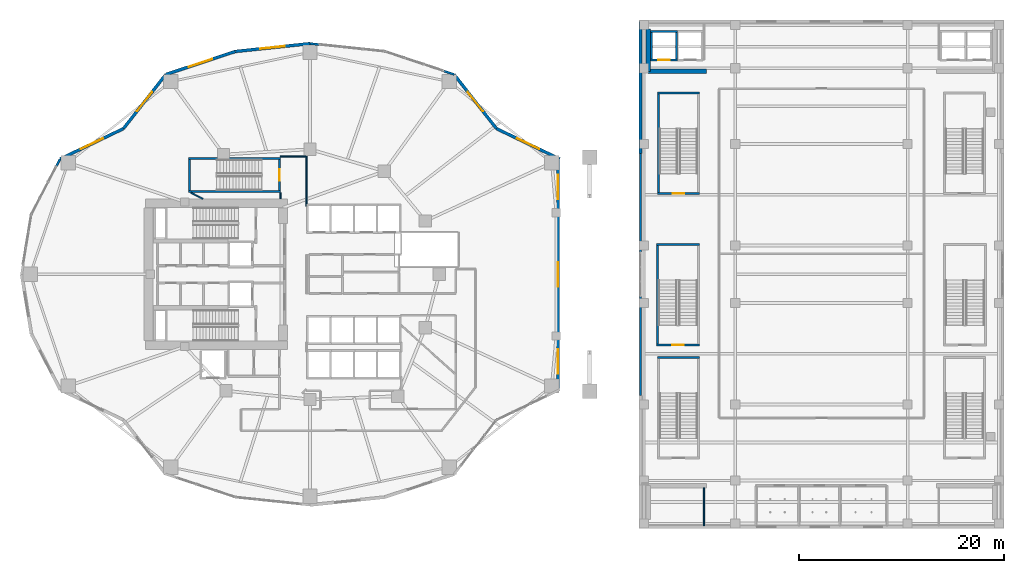
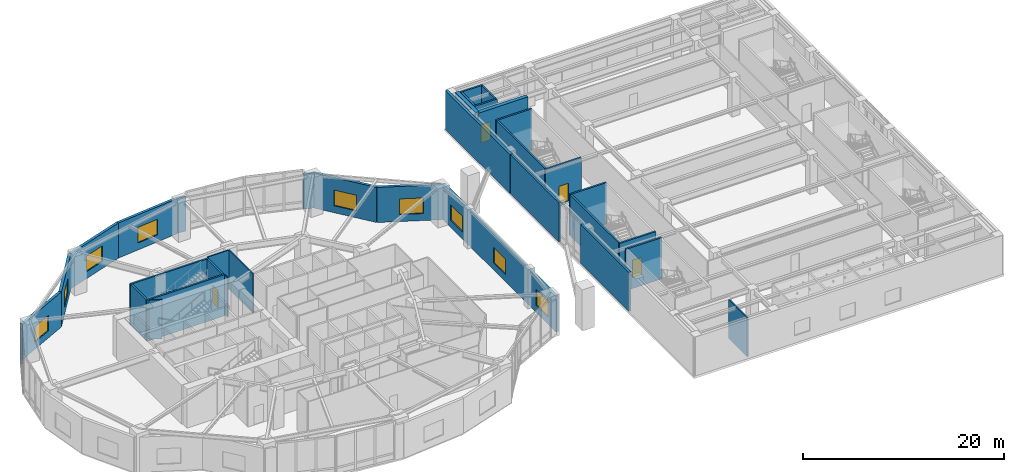
# One storey, part 14 of 21: 35 walls, 9 windows, 4 doors, 13 openings.
"""IFC4 building model written with IfcOpenShell, lengths in metres."""

from ifc_helpers import new_model, si_unit, direction, frame, frame_2d, origin, place, context, subcontext, project, spatial, rectangle, extrude, material, layer, layer_set, type_object, element, fill, save


model = new_model("IFC4")

# Units and contexts
model_context = context("Model", 3, precision=1e-05, world=origin(), true_north=direction((0.0, 1.0)))
body_context = subcontext(model_context, "Body", "Model", "MODEL_VIEW")
ifc_project = project(units=[si_unit("LENGTHUNIT", "METRE"), si_unit("AREAUNIT", "SQUARE_METRE"), si_unit("VOLUMEUNIT", "CUBIC_METRE"), si_unit("PLANEANGLEUNIT", "RADIAN"), si_unit("MASSUNIT", "GRAM", prefix="KILO")], contexts=[model_context])

# Site, building, storey
site_placement = place(None, origin())
site = spatial("IfcSite", under=ifc_project, at=site_placement, CompositionType="ELEMENT")
building_placement = place(site_placement, origin())
building = spatial("IfcBuilding", under=site, at=building_placement, Name="Kolvaren Gate Tower and Convention Centre", CompositionType="ELEMENT")
storey_placement = place(building_placement, frame((0.0, 0.0, 5.0)))
storey = spatial("IfcBuildingStorey", under=building, at=storey_placement, Name="L01", CompositionType="ELEMENT", Elevation=5.0)

# Walls
ifc_material_1 = material(Name="Fire-Rated Acoustic Gypsum Stud Partition", Category="gypsum")
ifc_layer_1 = layer(ifc_material_1, 0.1201171875)
ifc_layer_set_1 = layer_set([ifc_layer_1], Name="Fire-Rated Acoustic Gypsum Stud Partition")
wall_type_1 = type_object("IfcWallType", Name="ARCH-WL-PART-120", PredefinedType="PARTITIONING", material=ifc_layer_set_1)
wall_1_placement = place(storey_placement, frame((29.780029296875, 33.639892578125, 0.0), z_axis=(0.0, 0.0, 1.0), x_axis=(0.0, 1.0, 0.0)))
element("IfcWall", 1, at=wall_1_placement, inside=storey, type_object=wall_type_1, Name="Interior Partition WL-L01-INT-024", PredefinedType="PARTITIONING", context=body_context, shape_type="SweptSolid", body=[
    extrude(rectangle(XDim=4.860107421875, YDim=0.1201171875, at=frame_2d((2.43017578125, 0.0))), origin(), (0.0, 0.0, 1.0), 4.739990234375),
])
wall_2_placement = place(storey_placement, frame((27.25, 34.35205078125, 0.0), z_axis=(0.0, 0.0, 1.0), x_axis=(0.0, 1.0, 0.0)))
element("IfcWall", 2, at=wall_2_placement, inside=storey, type_object=wall_type_1, Name="Interior Partition WL-L01-INT-037", PredefinedType="PARTITIONING", context=body_context, shape_type="SweptSolid", body=[
    extrude(rectangle(XDim=0.60595703125, YDim=0.1201171875, at=frame_2d((0.302978515625, 0.0))), origin(), (0.0, 0.0, 1.0), 4.739990234375),
])
wall_3_placement = place(storey_placement, frame((27.25, 38.5, 0.0), z_axis=(0.0, 0.0, 1.0), x_axis=(1.0, 0.0, 0.0)))
element("IfcWall", 3, at=wall_3_placement, inside=storey, type_object=wall_type_1, Name="Interior Partition WL-L01-INT-038", PredefinedType="PARTITIONING", context=body_context, shape_type="SweptSolid", body=[
    extrude(rectangle(XDim=2.468017578125, YDim=0.1201171875, at=frame_2d((1.23388671875, 0.0))), origin(), (0.0, 0.0, 1.0), 4.739990234375),
])
wall_4_placement = place(storey_placement, frame((18.53271484375, 34.9580078125, 0.0), z_axis=(0.0, 0.0, 1.0), x_axis=(0.883032467315, -0.469311902329, 0.0)))
element("IfcWall", 4, at=wall_4_placement, inside=storey, type_object=wall_type_1, Name="Interior Partition WL-L01-INT-048", PredefinedType="PARTITIONING", context=body_context, shape_type="SweptSolid", body=[
    extrude(rectangle(XDim=1.291259765625, YDim=0.1201171875, at=frame_2d((0.6455078125, 0.0))), origin(), (0.0, 0.0, 1.0), 4.739990234375),
])
wall_5_placement = place(storey_placement, frame((68.550048828125, 2.501953125, 0.0), z_axis=(0.0, 0.0, 1.0), x_axis=(0.0, 1.0, 0.0)))
element("IfcWall", 5, at=wall_5_placement, inside=storey, type_object=wall_type_1, Name="Interior Partition WL-L01-INT-052", PredefinedType="PARTITIONING", context=body_context, shape_type="SweptSolid", body=[
    extrude(rectangle(XDim=3.68603515625, YDim=0.1201171875, at=frame_2d((1.843017578125, 0.0))), origin(), (0.0, 0.0, 1.0), 4.739990234375),
])
ifc_material_2 = material(Name="Bogota Sabana Bush-Hammered Sandstone Cladding", Category="masonry")
ifc_layer_2 = layer(ifc_material_2, 0.219970703125)
ifc_layer_set_2 = layer_set([ifc_layer_2], Name="Bogota Sabana Bush-Hammered Sandstone Cladding")
wall_type_2 = type_object("IfcWallType", Name="ARCH-WL-PIER-220", PredefinedType="SOLIDWALL", material=ifc_layer_set_2)
wall_6_placement = place(storey_placement, frame((43.148193359375, 46.830078125, 0.0), z_axis=(0.0, 0.0, 1.0), x_axis=(0.949217086672, -0.314621872045, 0.0)))
element("IfcWall", 6, at=wall_6_placement, inside=storey, type_object=wall_type_2, Name="Tower L01 Unitised Curtain Wall CW-POD-GLZ Bay 04 Right Column Pier Wrap", PredefinedType="SOLIDWALL", context=body_context, shape_type="SweptSolid", body=[
    extrude(rectangle(XDim=1.094970703125, YDim=0.219970703125, at=frame_2d((0.54736328125, 0.0))), origin(), (0.0, 0.0, 1.0), 4.262939453125),
])
wall_7_placement = place(storey_placement, frame((30.125, 49.5, 0.0), z_axis=(0.0, 0.0, 1.0), x_axis=(0.994486716049, -0.104862632057, 0.0)))
element("IfcWall", 7, at=wall_7_placement, inside=storey, type_object=wall_type_2, Name="Tower L01 Unitised Curtain Wall CW-POD-GLZ Bay 05 Left Column Pier Wrap", PredefinedType="SOLIDWALL", context=body_context, shape_type="SweptSolid", body=[
    extrude(rectangle(XDim=0.928955078125, YDim=0.219970703125, at=frame_2d((0.46435546875, 0.0))), origin(), (0.0, 0.0, 1.0), 4.262939453125),
])
wall_8_placement = place(storey_placement, frame((5.3994140625, 37.537841796875, 0.0), z_axis=(0.0, 0.0, 1.0), x_axis=(0.459712774547, 0.88806765785, 0.0)))
element("IfcWall", 8, at=wall_8_placement, inside=storey, type_object=wall_type_2, Name="Tower L01 Unitised Curtain Wall CW-POD-GLZ Bay 10 Right Column Pier Wrap", PredefinedType="SOLIDWALL", context=body_context, shape_type="SweptSolid", body=[
    extrude(rectangle(XDim=0.802001953125, YDim=0.219970703125, at=frame_2d((0.40087890625, 0.0))), origin(), (0.0, 0.0, 1.0), 4.262939453125),
])
for number, where, z_axis, x_axis, name in (
    (9, (62.35009765625, 15.199951171875, 0.0), (0.0, 0.0, 1.0), (0.0, 1.0, 0.0), "Convention L01 W Foyer Curtain Wall CW-CC-L01-W Left Column Pier Wrap"),
    (10, (62.35009765625, 29.139892578125, 0.0), (0.0, 0.0, 1.0), (0.0, 1.0, 0.0), "Convention L01 W Foyer Curtain Wall CW-CC-L01-W Right Column Pier Wrap"),
):
    element("IfcWall", number, at=place(storey_placement, frame(where, z_axis=z_axis, x_axis=x_axis)), inside=storey, type_object=wall_type_2, Name=name, PredefinedType="SOLIDWALL", context=body_context, shape_type="SweptSolid", body=[
        extrude(rectangle(XDim=9.66015625, YDim=0.219970703125, at=frame_2d((4.830078125, 0.0))), origin(), (0.0, 0.0, 1.0), 4.739990234375),
    ])
ifc_material_3 = material(Name="Autoclaved Aerated Masonry Blockwork Class 4 (4.0 MPa)", Category="masonry")
ifc_layer_3 = layer(ifc_material_3, 0.199951171875)
ifc_layer_set_3 = layer_set([ifc_layer_3], Name="Autoclaved Aerated Masonry Blockwork Class 4 (4.0 MPa)")
wall_type_3 = type_object("IfcWallType", Name="ARCH-WL-SHAFT-200", PredefinedType="SOLIDWALL", material=ifc_layer_set_3)
wall_9_placement = place(storey_placement, frame((63.35009765625, 50.699951171875, 0.0), z_axis=(0.0, 0.0, 1.0), x_axis=(1.0, 0.0, 0.0)))
element("IfcWall", 11, at=wall_9_placement, inside=storey, type_object=wall_type_3, Name="Elevator CL-01 L01 Fire Shaft Wall N", PredefinedType="SOLIDWALL", context=body_context, shape_type="SweptSolid", body=[
    extrude(rectangle(XDim=2.599853515625, YDim=0.199951171875, at=frame_2d((1.2998046875, 0.0))), origin(), (0.0, 0.0, 1.0), 4.739990234375),
])

# Wall, opening, door
wall_10_placement = place(storey_placement, frame((63.35009765625, 47.89990234375, 0.0), z_axis=(0.0, 0.0, 1.0), x_axis=(1.0, 0.0, 0.0)))
wall_10 = element("IfcWall", 12, at=wall_10_placement, inside=storey, type_object=wall_type_3, Name="Elevator CL-01 L01 Fire Shaft Wall S", PredefinedType="SOLIDWALL", context=body_context, shape_type="SweptSolid", body=[
    extrude(rectangle(XDim=2.599853515625, YDim=0.199951171875, at=frame_2d((1.2998046875, 0.0))), origin(), (0.0, 0.0, 1.0), 4.739990234375),
])
opening_1_placement = place(wall_10_placement, frame((0.75, 0.0, 0.0)))
opening_1 = element("IfcOpeningElement", 13, at=opening_1_placement, cuts=wall_10, Name="Opening LD", PredefinedType="OPENING", context=body_context, shape_type="SweptSolid", body=[
    extrude(rectangle(XDim=1.10009765625, YDim=2.199951171875, at=frame_2d((0.550048828125, 1.10009765625))), frame((0.0, 0.10986328125, 0.0), z_axis=(0.0, -1.0, 0.0), x_axis=(1.0, 0.0, 0.0)), (0.0, 0.0, 1.0), 0.219970703125),
])
ifc_material_4 = material(Name="Brushed Stainless Steel Grade 316L", Category="steel")
door_type_1 = type_object("IfcDoorType", Name="ARCH-DR-LIFT-1100", OperationType="SLIDING_TO_LEFT", PredefinedType="DOOR", material=ifc_material_4)
door_1_placement = place(opening_1_placement, origin())
door_1 = element("IfcDoor", 14, at=door_1_placement, inside=storey, type_object=door_type_1, Name="Elevator CL-01 L01 Sliding Landing Door", OperationType="SLIDING_TO_LEFT", OverallHeight=2.199951171875, OverallWidth=1.10009765625, PredefinedType="DOOR", context=body_context, shape_type="SweptSolid", body=[
    extrude(rectangle(XDim=1.10009765625, YDim=2.199951171875, at=frame_2d((0.550048828125, 1.10009765625))), frame((0.0, 0.02490234375, 0.0), z_axis=(0.0, -1.0, 0.0), x_axis=(1.0, 0.0, 0.0)), (0.0, 0.0, 1.0), 0.050048828125),
])
fill(opening_1, door_1)

# Walls
for number, where, z_axis, x_axis, name in (
    (15, (63.449951171875, 48.010009765625, 0.0), (0.0, 0.0, 1.0), (0.0, 1.0, 0.0), "Elevator CL-01 L01 Fire Shaft Wall W"),
    (16, (65.85009765625, 48.010009765625, 0.0), (0.0, 0.0, 1.0), (0.0, 1.0, 0.0), "Elevator CL-01 L01 Fire Shaft Wall E"),
):
    element("IfcWall", number, at=place(storey_placement, frame(where, z_axis=z_axis, x_axis=x_axis)), inside=storey, type_object=wall_type_3, Name=name, PredefinedType="SOLIDWALL", context=body_context, shape_type="SweptSolid", body=[
        extrude(rectangle(XDim=2.580078125, YDim=0.199951171875, at=frame_2d((1.2900390625, 0.0))), origin(), (0.0, 0.0, 1.0), 4.739990234375),
    ])

# Wall, opening, window
ifc_material_5 = material(Name="Piedmont Cream Honed Limestone Cladding", Category="masonry")
ifc_layer_4 = layer(ifc_material_5, 0.300048828125)
ifc_layer_set_4 = layer_set([ifc_layer_4], Name="Piedmont Cream Honed Limestone Cladding")
wall_type_4 = type_object("IfcWallType", Name="ARCH-WL-STONE-300", PredefinedType="SOLIDWALL", material=ifc_layer_set_4)
wall_11_placement = place(storey_placement, frame((48.315185546875, 41.212890625, 0.0), z_axis=(0.0, 0.0, 1.0), x_axis=(0.901360393999, -0.433069786673, 0.0)))
wall_11 = element("IfcWall", 17, at=wall_11_placement, inside=storey, type_object=wall_type_4, Name="Tower L01 Honed Stone Spandrel Wall EW-02", PredefinedType="SOLIDWALL", context=body_context, shape_type="SweptSolid", body=[
    extrude(rectangle(XDim=6.841552734375, YDim=0.300048828125, at=frame_2d((3.4208984375, 0.0))), origin(), (0.0, 0.0, 1.0), 4.262939453125),
])
opening_2_placement = place(wall_11_placement, frame((2.220947265625, 0.0, 0.85009765625)))
opening_2 = element("IfcOpeningElement", 18, at=opening_2_placement, cuts=wall_11, Name="Opening W-01", PredefinedType="OPENING", context=body_context, shape_type="SweptSolid", body=[
    extrude(rectangle(XDim=2.39990234375, YDim=1.89990234375, at=frame_2d((1.199951171875, 0.949951171875))), frame((0.0, 0.159912109375, 0.0), z_axis=(0.0, -1.0, 0.0), x_axis=(1.0, 0.0, 0.0)), (0.0, 0.0, 1.0), 0.320068359375),
])
ifc_material_6 = material(Name="Low-E Triple Insulated Glazing Unit 44 mm", Category="glass")
window_type = type_object("IfcWindowType", Name="ARCH-WN-OFF-2400", PartitioningType="SINGLE_PANEL", PredefinedType="WINDOW", material=ifc_material_6)
window_1_placement = place(opening_2_placement, origin())
window_1 = element("IfcWindow", 19, at=window_1_placement, inside=storey, type_object=window_type, Name="Tower L01 Punched Stone Facade Window W-02", OverallHeight=1.89990234375, OverallWidth=2.39990234375, PartitioningType="SINGLE_PANEL", PredefinedType="WINDOW", context=body_context, shape_type="SweptSolid", body=[
    extrude(rectangle(XDim=2.39990234375, YDim=1.89990234375, at=frame_2d((1.199951171875, 0.949951171875))), frame((0.0, 0.030029296875, 0.0), z_axis=(0.0, -1.0, 0.0), x_axis=(1.0, 0.0, 0.0)), (0.0, 0.0, 1.0), 0.06005859375),
])
fill(opening_2, window_1)

wall_12_placement = place(storey_placement, frame((44.1875, 46.485595703125, 0.0), z_axis=(0.0, 0.0, 1.0), x_axis=(0.616421309777, -0.787416515482, 0.0)))
wall_12 = element("IfcWall", 20, at=wall_12_placement, inside=storey, type_object=wall_type_4, Name="Tower L01 Honed Stone Spandrel Wall EW-03", PredefinedType="SOLIDWALL", context=body_context, shape_type="SweptSolid", body=[
    extrude(rectangle(XDim=6.6962890625, YDim=0.300048828125, at=frame_2d((3.34814453125, 0.0))), origin(), (0.0, 0.0, 1.0), 4.262939453125),
])
opening_3_placement = place(wall_12_placement, frame((2.14794921875, 0.0, 0.85009765625)))
opening_3 = element("IfcOpeningElement", 21, at=opening_3_placement, cuts=wall_12, Name="Opening W-01", PredefinedType="OPENING", context=body_context, shape_type="SweptSolid", body=[
    extrude(rectangle(XDim=2.39990234375, YDim=1.89990234375, at=frame_2d((1.199951171875, 0.949951171875))), frame((0.0, 0.159912109375, 0.0), z_axis=(0.0, -1.0, 0.0), x_axis=(1.0, 0.0, 0.0)), (0.0, 0.0, 1.0), 0.320068359375),
])
window_2_placement = place(opening_3_placement, origin())
window_2 = element("IfcWindow", 22, at=window_2_placement, inside=storey, type_object=window_type, Name="Tower L01 Punched Stone Facade Window W-03", OverallHeight=1.89990234375, OverallWidth=2.39990234375, PartitioningType="SINGLE_PANEL", PredefinedType="WINDOW", context=body_context, shape_type="SweptSolid", body=[
    extrude(rectangle(XDim=2.39990234375, YDim=1.89990234375, at=frame_2d((1.199951171875, 0.949951171875))), frame((0.0, 0.030029296875, 0.0), z_axis=(0.0, -1.0, 0.0), x_axis=(1.0, 0.0, 0.0)), (0.0, 0.0, 1.0), 0.06005859375),
])
fill(opening_3, window_2)

wall_13_placement = place(storey_placement, frame((22.845703125, 48.7333984375, 0.0), z_axis=(0.0, 0.0, 1.0), x_axis=(0.994500334317, 0.104733399844, 0.0)))
wall_13 = element("IfcWall", 23, at=wall_13_placement, inside=storey, type_object=wall_type_4, Name="Tower L01 Honed Stone Spandrel Wall EW-06", PredefinedType="SOLIDWALL", context=body_context, shape_type="SweptSolid", body=[
    extrude(rectangle(XDim=7.319580078125, YDim=0.300048828125, at=frame_2d((3.65966796875, 0.0))), origin(), (0.0, 0.0, 1.0), 4.262939453125),
])
opening_4_placement = place(wall_13_placement, frame((2.4599609375, 0.0, 0.85009765625)))
opening_4 = element("IfcOpeningElement", 24, at=opening_4_placement, cuts=wall_13, Name="Opening W-01", PredefinedType="OPENING", context=body_context, shape_type="SweptSolid", body=[
    extrude(rectangle(XDim=2.39990234375, YDim=1.89990234375, at=frame_2d((1.199951171875, 0.949951171875))), frame((0.0, 0.159912109375, 0.0), z_axis=(0.0, -1.0, 0.0), x_axis=(1.0, 0.0, 0.0)), (0.0, 0.0, 1.0), 0.320068359375),
])
window_3_placement = place(opening_4_placement, origin())
window_3 = element("IfcWindow", 25, at=window_3_placement, inside=storey, type_object=window_type, Name="Tower L01 Punched Stone Facade Window W-06", OverallHeight=1.89990234375, OverallWidth=2.39990234375, PartitioningType="SINGLE_PANEL", PredefinedType="WINDOW", context=body_context, shape_type="SweptSolid", body=[
    extrude(rectangle(XDim=2.39990234375, YDim=1.89990234375, at=frame_2d((1.199951171875, 0.949951171875))), frame((0.0, 0.030029296875, 0.0), z_axis=(0.0, -1.0, 0.0), x_axis=(1.0, 0.0, 0.0)), (0.0, 0.0, 1.0), 0.06005859375),
])
fill(opening_4, window_3)

wall_14_placement = place(storey_placement, frame((16.0625, 46.485595703125, 0.0), z_axis=(0.0, 0.0, 1.0), x_axis=(0.949238715533, 0.31455661006, 0.0)))
wall_14 = element("IfcWall", 26, at=wall_14_placement, inside=storey, type_object=wall_type_4, Name="Tower L01 Honed Stone Spandrel Wall EW-07", PredefinedType="SOLIDWALL", context=body_context, shape_type="SweptSolid", body=[
    extrude(rectangle(XDim=7.14599609375, YDim=0.300048828125, at=frame_2d((3.572998046875, 0.0))), origin(), (0.0, 0.0, 1.0), 4.262939453125),
])
opening_5_placement = place(wall_14_placement, frame((2.373046875, 0.0, 0.85009765625)))
opening_5 = element("IfcOpeningElement", 27, at=opening_5_placement, cuts=wall_14, Name="Opening W-01", PredefinedType="OPENING", context=body_context, shape_type="SweptSolid", body=[
    extrude(rectangle(XDim=2.39990234375, YDim=1.89990234375, at=frame_2d((1.199951171875, 0.949951171875))), frame((0.0, 0.159912109375, 0.0), z_axis=(0.0, -1.0, 0.0), x_axis=(1.0, 0.0, 0.0)), (0.0, 0.0, 1.0), 0.320068359375),
])
window_4_placement = place(opening_5_placement, origin())
window_4 = element("IfcWindow", 28, at=window_4_placement, inside=storey, type_object=window_type, Name="Tower L01 Punched Stone Facade Window W-07", OverallHeight=1.89990234375, OverallWidth=2.39990234375, PartitioningType="SINGLE_PANEL", PredefinedType="WINDOW", context=body_context, shape_type="SweptSolid", body=[
    extrude(rectangle(XDim=2.39990234375, YDim=1.89990234375, at=frame_2d((1.199951171875, 0.949951171875))), frame((0.0, 0.030029296875, 0.0), z_axis=(0.0, -1.0, 0.0), x_axis=(1.0, 0.0, 0.0)), (0.0, 0.0, 1.0), 0.06005859375),
])
fill(opening_5, window_4)

wall_15_placement = place(storey_placement, frame((11.934814453125, 41.212890625, 0.0), z_axis=(0.0, 0.0, 1.0), x_axis=(0.616421309777, 0.787416515482, 0.0)))
wall_15 = element("IfcWall", 29, at=wall_15_placement, inside=storey, type_object=wall_type_4, Name="Tower L01 Honed Stone Spandrel Wall EW-08", PredefinedType="SOLIDWALL", context=body_context, shape_type="SweptSolid", body=[
    extrude(rectangle(XDim=6.6962890625, YDim=0.300048828125, at=frame_2d((3.34814453125, 0.0))), origin(), (0.0, 0.0, 1.0), 4.262939453125),
])
opening_6_placement = place(wall_15_placement, frame((2.14794921875, 0.0, 0.85009765625)))
opening_6 = element("IfcOpeningElement", 30, at=opening_6_placement, cuts=wall_15, Name="Opening W-01", PredefinedType="OPENING", context=body_context, shape_type="SweptSolid", body=[
    extrude(rectangle(XDim=2.39990234375, YDim=1.89990234375, at=frame_2d((1.199951171875, 0.949951171875))), frame((0.0, 0.159912109375, 0.0), z_axis=(0.0, -1.0, 0.0), x_axis=(1.0, 0.0, 0.0)), (0.0, 0.0, 1.0), 0.320068359375),
])
window_5_placement = place(opening_6_placement, origin())
window_5 = element("IfcWindow", 31, at=window_5_placement, inside=storey, type_object=window_type, Name="Tower L01 Punched Stone Facade Window W-08", OverallHeight=1.89990234375, OverallWidth=2.39990234375, PartitioningType="SINGLE_PANEL", PredefinedType="WINDOW", context=body_context, shape_type="SweptSolid", body=[
    extrude(rectangle(XDim=2.39990234375, YDim=1.89990234375, at=frame_2d((1.199951171875, 0.949951171875))), frame((0.0, 0.030029296875, 0.0), z_axis=(0.0, -1.0, 0.0), x_axis=(1.0, 0.0, 0.0)), (0.0, 0.0, 1.0), 0.06005859375),
])
fill(opening_6, window_5)

wall_16_placement = place(storey_placement, frame((5.76806640625, 38.25, 0.0), z_axis=(0.0, 0.0, 1.0), x_axis=(0.901360393999, 0.433069786673, 0.0)))
wall_16 = element("IfcWall", 32, at=wall_16_placement, inside=storey, type_object=wall_type_4, Name="Tower L01 Honed Stone Spandrel Wall EW-09", PredefinedType="SOLIDWALL", context=body_context, shape_type="SweptSolid", body=[
    extrude(rectangle(XDim=6.841552734375, YDim=0.300048828125, at=frame_2d((3.4208984375, 0.0))), origin(), (0.0, 0.0, 1.0), 4.262939453125),
])
opening_7_placement = place(wall_16_placement, frame((2.220947265625, 0.0, 0.85009765625)))
opening_7 = element("IfcOpeningElement", 33, at=opening_7_placement, cuts=wall_16, Name="Opening W-01", PredefinedType="OPENING", context=body_context, shape_type="SweptSolid", body=[
    extrude(rectangle(XDim=2.39990234375, YDim=1.89990234375, at=frame_2d((1.199951171875, 0.949951171875))), frame((0.0, 0.159912109375, 0.0), z_axis=(0.0, -1.0, 0.0), x_axis=(1.0, 0.0, 0.0)), (0.0, 0.0, 1.0), 0.320068359375),
])
window_6_placement = place(opening_7_placement, origin())
window_6 = element("IfcWindow", 34, at=window_6_placement, inside=storey, type_object=window_type, Name="Tower L01 Punched Stone Facade Window W-09", OverallHeight=1.89990234375, OverallWidth=2.39990234375, PartitioningType="SINGLE_PANEL", PredefinedType="WINDOW", context=body_context, shape_type="SweptSolid", body=[
    extrude(rectangle(XDim=2.39990234375, YDim=1.89990234375, at=frame_2d((1.199951171875, 0.949951171875))), frame((0.0, 0.030029296875, 0.0), z_axis=(0.0, -1.0, 0.0), x_axis=(1.0, 0.0, 0.0)), (0.0, 0.0, 1.0), 0.06005859375),
])
fill(opening_7, window_6)

# Wall, openings, windows
wall_17_placement = place(storey_placement, frame((54.330078125, 15.75, 0.0), z_axis=(0.0, 0.0, 1.0), x_axis=(0.0, 1.0, 0.0)))
wall_17 = element("IfcWall", 35, at=wall_17_placement, inside=storey, type_object=wall_type_4, Name="Monumental Arch Recessed Portal Wall AW-L01", PredefinedType="SOLIDWALL", context=body_context, shape_type="SweptSolid", body=[
    extrude(rectangle(XDim=22.5, YDim=0.300048828125, at=frame_2d((11.25, 0.0))), origin(), (0.0, 0.0, 1.0), 4.31201171875),
])
opening_8_placement = place(wall_17_placement, frame((1.550048828125, 0.0, 0.85009765625)))
opening_8 = element("IfcOpeningElement", 36, at=opening_8_placement, cuts=wall_17, Name="Opening W-01", PredefinedType="OPENING", context=body_context, shape_type="SweptSolid", body=[
    extrude(rectangle(XDim=2.39990234375, YDim=1.89990234375, at=frame_2d((1.199951171875, 0.949951171875))), frame((0.0, 0.159912109375, 0.0), z_axis=(0.0, -1.0, 0.0), x_axis=(1.0, 0.0, 0.0)), (0.0, 0.0, 1.0), 0.320068359375),
])
opening_9_placement = place(wall_17_placement, frame((10.050048828125, 0.0, 0.85009765625)))
opening_9 = element("IfcOpeningElement", 37, at=opening_9_placement, cuts=wall_17, Name="Opening W-01", PredefinedType="OPENING", context=body_context, shape_type="SweptSolid", body=[
    extrude(rectangle(XDim=2.39990234375, YDim=1.89990234375, at=frame_2d((1.199951171875, 0.949951171875))), frame((0.0, 0.159912109375, 0.0), z_axis=(0.0, -1.0, 0.0), x_axis=(1.0, 0.0, 0.0)), (0.0, 0.0, 1.0), 0.320068359375),
])
opening_10_placement = place(wall_17_placement, frame((18.550048828125, 0.0, 0.85009765625)))
opening_10 = element("IfcOpeningElement", 38, at=opening_10_placement, cuts=wall_17, Name="Opening W-01", PredefinedType="OPENING", context=body_context, shape_type="SweptSolid", body=[
    extrude(rectangle(XDim=2.39990234375, YDim=1.89990234375, at=frame_2d((1.199951171875, 0.949951171875))), frame((0.0, 0.159912109375, 0.0), z_axis=(0.0, -1.0, 0.0), x_axis=(1.0, 0.0, 0.0)), (0.0, 0.0, 1.0), 0.320068359375),
])
window_7_placement = place(opening_8_placement, origin())
window_7 = element("IfcWindow", 39, at=window_7_placement, inside=storey, type_object=window_type, Name="Grand Arch Overlook Window AW-L01-1", OverallHeight=1.89990234375, OverallWidth=2.39990234375, PartitioningType="SINGLE_PANEL", PredefinedType="WINDOW", context=body_context, shape_type="SweptSolid", body=[
    extrude(rectangle(XDim=2.39990234375, YDim=1.89990234375, at=frame_2d((1.199951171875, 0.949951171875))), frame((0.0, 0.030029296875, 0.0), z_axis=(0.0, -1.0, 0.0), x_axis=(1.0, 0.0, 0.0)), (0.0, 0.0, 1.0), 0.06005859375),
])
fill(opening_8, window_7)
window_8_placement = place(opening_9_placement, origin())
window_8 = element("IfcWindow", 40, at=window_8_placement, inside=storey, type_object=window_type, Name="Grand Arch Overlook Window AW-L01-2", OverallHeight=1.89990234375, OverallWidth=2.39990234375, PartitioningType="SINGLE_PANEL", PredefinedType="WINDOW", context=body_context, shape_type="SweptSolid", body=[
    extrude(rectangle(XDim=2.39990234375, YDim=1.89990234375, at=frame_2d((1.199951171875, 0.949951171875))), frame((0.0, 0.030029296875, 0.0), z_axis=(0.0, -1.0, 0.0), x_axis=(1.0, 0.0, 0.0)), (0.0, 0.0, 1.0), 0.06005859375),
])
fill(opening_9, window_8)
window_9_placement = place(opening_10_placement, origin())
window_9 = element("IfcWindow", 41, at=window_9_placement, inside=storey, type_object=window_type, Name="Grand Arch Overlook Window AW-L01-3", OverallHeight=1.89990234375, OverallWidth=2.39990234375, PartitioningType="SINGLE_PANEL", PredefinedType="WINDOW", context=body_context, shape_type="SweptSolid", body=[
    extrude(rectangle(XDim=2.39990234375, YDim=1.89990234375, at=frame_2d((1.199951171875, 0.949951171875))), frame((0.0, 0.030029296875, 0.0), z_axis=(0.0, -1.0, 0.0), x_axis=(1.0, 0.0, 0.0)), (0.0, 0.0, 1.0), 0.06005859375),
])
fill(opening_10, window_9)

# Walls
wall_18_placement = place(storey_placement, frame((62.35009765625, 38.800048828125, 0.0), z_axis=(0.0, 0.0, 1.0), x_axis=(0.0, 1.0, 0.0)))
element("IfcWall", 42, at=wall_18_placement, inside=storey, type_object=wall_type_4, Name="Convention L01 W Stone Wing Wall North", PredefinedType="SOLIDWALL", context=body_context, shape_type="SweptSolid", body=[
    extrude(rectangle(XDim=12.849853515625, YDim=0.300048828125, at=frame_2d((6.4248046875, 0.0))), origin(), (0.0, 0.0, 1.0), 4.739990234375),
])
ifc_material_7 = material(Name="Concrete C50/60", Category="concrete")
ifc_layer_5 = layer(ifc_material_7, 0.419921875)
ifc_layer_set_5 = layer_set([ifc_layer_5], Name="Concrete C50/60")
wall_type_5 = type_object("IfcWallType", Name="STR-WL-CONV-420", PredefinedType="SHEAR", material=ifc_layer_set_5)
wall_19_placement = place(storey_placement, frame((63.10009765625, 46.800048828125, -0.260009765625), z_axis=(0.0, 0.0, 1.0), x_axis=(0.0, 1.0, 0.0)))
element("IfcWall", 43, at=wall_19_placement, inside=storey, type_object=wall_type_5, Name="Convention L01 Shear Core Wall CCNW-W", PredefinedType="SHEAR", context=body_context, shape_type="SweptSolid", body=[
    extrude(rectangle(XDim=4.099853515625, YDim=0.419921875, at=frame_2d((2.0498046875, 0.0))), origin(), (0.0, 0.0, 1.0), 5.0),
])
wall_20_placement = place(storey_placement, frame((63.10009765625, 46.800048828125, -0.260009765625), z_axis=(0.0, 0.0, 1.0), x_axis=(1.0, 0.0, 0.0)))
element("IfcWall", 44, at=wall_20_placement, inside=storey, type_object=wall_type_5, Name="Convention L01 Shear Core Wall CCNW-S", PredefinedType="SHEAR", context=body_context, shape_type="SweptSolid", body=[
    extrude(rectangle(XDim=5.699951171875, YDim=0.419921875, at=frame_2d((2.85009765625, 0.0))), origin(), (0.0, 0.0, 1.0), 5.0),
])

# Wall, opening, door
ifc_layer_6 = layer(ifc_material_7, 0.199951171875)
ifc_layer_set_6 = layer_set([ifc_layer_6], Name="Concrete C50/60")
wall_type_6 = type_object("IfcWallType", Name="STR-WL-SHAFT-200", PredefinedType="SHEAR", material=ifc_layer_set_6)
wall_21_placement = place(storey_placement, frame((27.14990234375, 35.159912109375, -0.260009765625), z_axis=(0.0, 0.0, 1.0), x_axis=(0.0, 1.0, 0.0)))
wall_21 = element("IfcWall", 45, at=wall_21_placement, inside=storey, type_object=wall_type_6, Name="Tower Mid-Zone Exit Stair ST-T3 L01 Structural Shear Enclosure Wall NEAR", PredefinedType="SHEAR", context=body_context, shape_type="SweptSolid", body=[
    extrude(rectangle(XDim=3.0400390625, YDim=0.199951171875, at=frame_2d((1.52001953125, 0.0))), origin(), (0.0, 0.0, 1.0), 5.0),
])
opening_11_placement = place(wall_21_placement, frame((0.969970703125, 0.0, 0.260009765625)))
opening_11 = element("IfcOpeningElement", 46, at=opening_11_placement, cuts=wall_21, Name="Opening DS-01", PredefinedType="OPENING", context=body_context, shape_type="SweptSolid", body=[
    extrude(rectangle(XDim=1.10009765625, YDim=2.14990234375, at=frame_2d((0.550048828125, 1.074951171875))), frame((0.0, 0.10986328125, 0.0), z_axis=(0.0, -1.0, 0.0), x_axis=(1.0, 0.0, 0.0)), (0.0, 0.0, 1.0), 0.219970703125),
])
ifc_material_8 = material(Name="Painted Architectural Steelwork ASTM A500 Grade C 345 MPa", Category="steel")
door_type_2 = type_object("IfcDoorType", Name="ARCH-DR-STAIR-1100", OperationType="SINGLE_SWING_LEFT", PredefinedType="DOOR", material=ifc_material_8)
door_2_placement = place(opening_11_placement, origin())
door_2 = element("IfcDoor", 47, at=door_2_placement, inside=storey, type_object=door_type_2, Name="Tower Mid-Zone Exit Stair ST-T3 L01 Fire Exit Stair Door", OperationType="SINGLE_SWING_LEFT", OverallHeight=2.14990234375, OverallWidth=1.10009765625, PredefinedType="DOOR", context=body_context, shape_type="SweptSolid", body=[
    extrude(rectangle(XDim=1.10009765625, YDim=2.14990234375, at=frame_2d((0.550048828125, 1.074951171875))), frame((0.0, 0.02490234375, 0.0), z_axis=(0.0, -1.0, 0.0), x_axis=(1.0, 0.0, 0.0)), (0.0, 0.0, 1.0), 0.050048828125),
])
fill(opening_11, door_2)

# Walls
wall_22_placement = place(storey_placement, frame((18.39990234375, 35.159912109375, -0.260009765625), z_axis=(0.0, 0.0, 1.0), x_axis=(0.0, 1.0, 0.0)))
element("IfcWall", 48, at=wall_22_placement, inside=storey, type_object=wall_type_6, Name="Tower Mid-Zone Exit Stair ST-T3 L01 Structural Shear Enclosure Wall FAR", PredefinedType="SHEAR", context=body_context, shape_type="SweptSolid", body=[
    extrude(rectangle(XDim=3.0400390625, YDim=0.199951171875, at=frame_2d((1.52001953125, 0.0))), origin(), (0.0, 0.0, 1.0), 5.0),
])
for number, where, z_axis, x_axis, name in (
    (49, (18.300048828125, 38.300048828125, -0.260009765625), (0.0, 0.0, 1.0), (1.0, 0.0, 0.0), "Tower Mid-Zone Exit Stair ST-T3 L01 Structural Shear Enclosure Wall LEFT"),
    (50, (18.300048828125, 35.06005859375, -0.260009765625), (0.0, 0.0, 1.0), (1.0, 0.0, 0.0), "Tower Mid-Zone Exit Stair ST-T3 L01 Structural Shear Enclosure Wall RGHT"),
):
    element("IfcWall", number, at=place(storey_placement, frame(where, z_axis=z_axis, x_axis=x_axis)), inside=storey, type_object=wall_type_6, Name=name, PredefinedType="SHEAR", context=body_context, shape_type="SweptSolid", body=[
        extrude(rectangle(XDim=8.949951171875, YDim=0.199951171875, at=frame_2d((4.47509765625, 0.0))), origin(), (0.0, 0.0, 1.0), 5.0),
    ])

# Wall, opening, door
wall_23_placement = place(storey_placement, frame((64.0, 34.89990234375, -0.260009765625), z_axis=(0.0, 0.0, 1.0), x_axis=(1.0, 0.0, 0.0)))
wall_23 = element("IfcWall", 51, at=wall_23_placement, inside=storey, type_object=wall_type_6, Name="Convention NW Exit Stair ST-C1 L01 Structural Shear Enclosure Wall NEAR", PredefinedType="SHEAR", context=body_context, shape_type="SweptSolid", body=[
    extrude(rectangle(XDim=4.10009765625, YDim=0.199951171875, at=frame_2d((2.050048828125, 0.0))), origin(), (0.0, 0.0, 1.0), 5.0),
])
opening_12_placement = place(wall_23_placement, frame((1.5, 0.0, 0.260009765625)))
opening_12 = element("IfcOpeningElement", 52, at=opening_12_placement, cuts=wall_23, Name="Opening DS-01", PredefinedType="OPENING", context=body_context, shape_type="SweptSolid", body=[
    extrude(rectangle(XDim=1.10009765625, YDim=2.14990234375, at=frame_2d((0.550048828125, 1.074951171875))), frame((0.0, 0.10986328125, 0.0), z_axis=(0.0, -1.0, 0.0), x_axis=(1.0, 0.0, 0.0)), (0.0, 0.0, 1.0), 0.219970703125),
])
door_3_placement = place(opening_12_placement, origin())
door_3 = element("IfcDoor", 53, at=door_3_placement, inside=storey, type_object=door_type_2, Name="Convention NW Exit Stair ST-C1 L01 Fire Exit Stair Door", OperationType="SINGLE_SWING_LEFT", OverallHeight=2.14990234375, OverallWidth=1.10009765625, PredefinedType="DOOR", context=body_context, shape_type="SweptSolid", body=[
    extrude(rectangle(XDim=1.10009765625, YDim=2.14990234375, at=frame_2d((0.550048828125, 1.074951171875))), frame((0.0, 0.02490234375, 0.0), z_axis=(0.0, -1.0, 0.0), x_axis=(1.0, 0.0, 0.0)), (0.0, 0.0, 1.0), 0.050048828125),
])
fill(opening_12, door_3)

# Walls
wall_24_placement = place(storey_placement, frame((64.0, 44.699951171875, -0.260009765625), z_axis=(0.0, 0.0, 1.0), x_axis=(1.0, 0.0, 0.0)))
element("IfcWall", 54, at=wall_24_placement, inside=storey, type_object=wall_type_6, Name="Convention NW Exit Stair ST-C1 L01 Structural Shear Enclosure Wall FAR", PredefinedType="SHEAR", context=body_context, shape_type="SweptSolid", body=[
    extrude(rectangle(XDim=4.10009765625, YDim=0.199951171875, at=frame_2d((2.050048828125, 0.0))), origin(), (0.0, 0.0, 1.0), 5.0),
])
wall_25_placement = place(storey_placement, frame((64.10009765625, 35.001953125, -0.260009765625), z_axis=(0.0, 0.0, 1.0), x_axis=(0.0, 1.0, 0.0)))
element("IfcWall", 55, at=wall_25_placement, inside=storey, type_object=wall_type_6, Name="Convention NW Exit Stair ST-C1 L01 Structural Shear Enclosure Wall WEST", PredefinedType="SHEAR", context=body_context, shape_type="SweptSolid", body=[
    extrude(rectangle(XDim=9.595947265625, YDim=0.199951171875, at=frame_2d((4.7978515625, 0.0))), origin(), (0.0, 0.0, 1.0), 5.0),
])
wall_26_placement = place(storey_placement, frame((64.0, 18.89990234375, -0.260009765625), z_axis=(0.0, 0.0, 1.0), x_axis=(1.0, 0.0, 0.0)))
element("IfcWall", 56, at=wall_26_placement, inside=storey, type_object=wall_type_6, Name="Convention SW Exit Stair ST-C2 L01 Structural Shear Enclosure Wall FAR", PredefinedType="SHEAR", context=body_context, shape_type="SweptSolid", body=[
    extrude(rectangle(XDim=4.10009765625, YDim=0.199951171875, at=frame_2d((2.050048828125, 0.0))), origin(), (0.0, 0.0, 1.0), 5.0),
])

# Wall, opening, door
wall_27_placement = place(storey_placement, frame((63.89990234375, 20.10009765625, -0.260009765625), z_axis=(0.0, 0.0, 1.0), x_axis=(1.0, 0.0, 0.0)))
wall_27 = element("IfcWall", 57, at=wall_27_placement, inside=storey, type_object=wall_type_6, Name="Convention West Assembly Stair ST-C5 L01 Structural Shear Enclosure Wall NEAR", PredefinedType="SHEAR", context=body_context, shape_type="SweptSolid", body=[
    extrude(rectangle(XDim=4.2001953125, YDim=0.199951171875, at=frame_2d((2.10009765625, 0.0))), origin(), (0.0, 0.0, 1.0), 5.0),
])
opening_13_placement = place(wall_27_placement, frame((1.550048828125, 0.0, 0.260009765625)))
opening_13 = element("IfcOpeningElement", 58, at=opening_13_placement, cuts=wall_27, Name="Opening DS-01", PredefinedType="OPENING", context=body_context, shape_type="SweptSolid", body=[
    extrude(rectangle(XDim=1.10009765625, YDim=2.14990234375, at=frame_2d((0.550048828125, 1.074951171875))), frame((0.0, 0.10986328125, 0.0), z_axis=(0.0, -1.0, 0.0), x_axis=(1.0, 0.0, 0.0)), (0.0, 0.0, 1.0), 0.219970703125),
])
door_4_placement = place(opening_13_placement, origin())
door_4 = element("IfcDoor", 59, at=door_4_placement, inside=storey, type_object=door_type_2, Name="Convention West Assembly Stair ST-C5 L01 Fire Exit Stair Door", OperationType="SINGLE_SWING_LEFT", OverallHeight=2.14990234375, OverallWidth=1.10009765625, PredefinedType="DOOR", context=body_context, shape_type="SweptSolid", body=[
    extrude(rectangle(XDim=1.10009765625, YDim=2.14990234375, at=frame_2d((0.550048828125, 1.074951171875))), frame((0.0, 0.02490234375, 0.0), z_axis=(0.0, -1.0, 0.0), x_axis=(1.0, 0.0, 0.0)), (0.0, 0.0, 1.0), 0.050048828125),
])
fill(opening_13, door_4)

# Walls
wall_28_placement = place(storey_placement, frame((63.89990234375, 29.89990234375, -0.260009765625), z_axis=(0.0, 0.0, 1.0), x_axis=(1.0, 0.0, 0.0)))
element("IfcWall", 60, at=wall_28_placement, inside=storey, type_object=wall_type_6, Name="Convention West Assembly Stair ST-C5 L01 Structural Shear Enclosure Wall FAR", PredefinedType="SHEAR", context=body_context, shape_type="SweptSolid", body=[
    extrude(rectangle(XDim=4.2001953125, YDim=0.199951171875, at=frame_2d((2.10009765625, 0.0))), origin(), (0.0, 0.0, 1.0), 5.0),
])
wall_29_placement = place(storey_placement, frame((64.0, 20.201904296875, -0.260009765625), z_axis=(0.0, 0.0, 1.0), x_axis=(0.0, 1.0, 0.0)))
element("IfcWall", 61, at=wall_29_placement, inside=storey, type_object=wall_type_6, Name="Convention West Assembly Stair ST-C5 L01 Structural Shear Enclosure Wall WEST", PredefinedType="SHEAR", context=body_context, shape_type="SweptSolid", body=[
    extrude(rectangle(XDim=9.59619140625, YDim=0.199951171875, at=frame_2d((4.798095703125, 0.0))), origin(), (0.0, 0.0, 1.0), 5.0),
])

save(model, "model.ifc")
